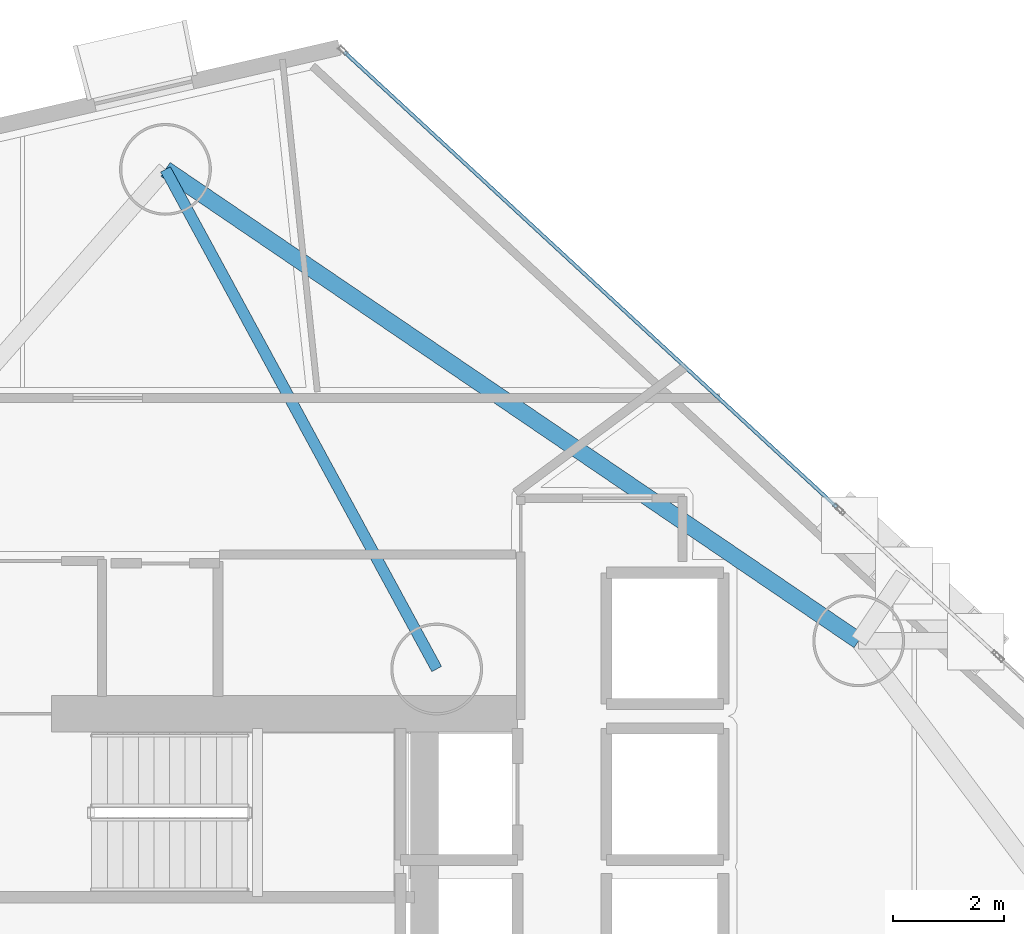
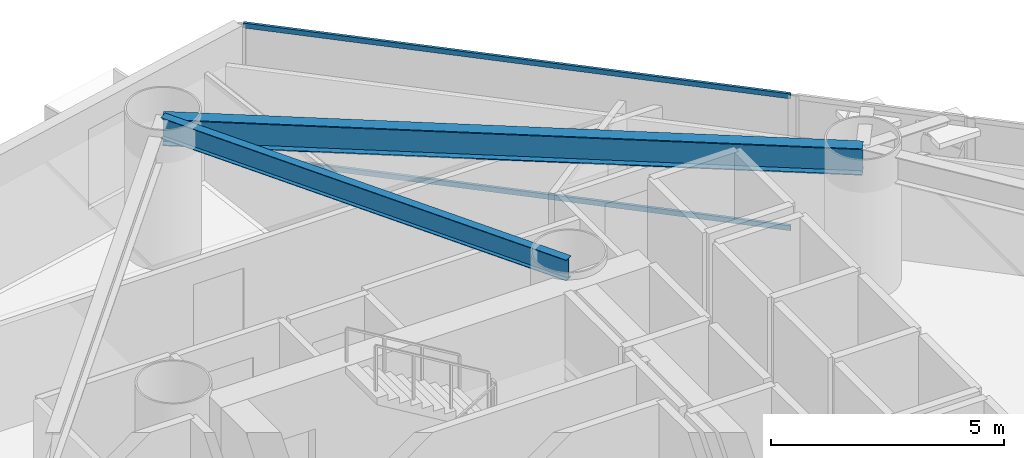
# One storey, part 11 of 23: 2 beams, 2 members, 1 element without a shape of its own.
"""IFC4 building model written with IfcOpenShell, lengths in metres."""

from ifc_helpers import new_model, si_unit, direction, frame, origin, origin_2d, place, context, subcontext, project, spatial, hollow_rectangle, i_section, extrude, material, layer, layer_set, material_profile, profile_set, type_object, element, aggregate, save


model = new_model("IFC4")

# Units and contexts
model_context = context("Model", 3, precision=1e-05, world=origin(), true_north=direction((0.0, 1.0)))
body_context = subcontext(model_context, "Body", "Model", "MODEL_VIEW")
ifc_project = project(units=[si_unit("LENGTHUNIT", "METRE"), si_unit("AREAUNIT", "SQUARE_METRE"), si_unit("VOLUMEUNIT", "CUBIC_METRE"), si_unit("PLANEANGLEUNIT", "RADIAN"), si_unit("MASSUNIT", "GRAM", prefix="KILO")], contexts=[model_context])

# Site, building, storey
site_placement = place(None, origin())
site = spatial("IfcSite", under=ifc_project, at=site_placement, CompositionType="ELEMENT")
building_placement = place(site_placement, origin())
building = spatial("IfcBuilding", under=site, at=building_placement, Name="Qianvela Tower", CompositionType="ELEMENT")
storey_placement = place(building_placement, frame((0.0, 0.0, 67.300048828125)))
storey = spatial("IfcBuildingStorey", under=building, at=storey_placement, Name="L16", CompositionType="ELEMENT", Elevation=67.300048828125)

# Beams
ifc_material_1 = material(Name="Steel Q355B", Category="steel")
ifc_material_profile_1 = material_profile(ifc_material_1, i_section(OverallWidth=0.199951171875, OverallDepth=0.550048828125, WebThickness=0.010009765625, FlangeThickness=0.01611328125, at=origin_2d()), Name="HN550x200x10x16")
ifc_profile_set_1 = profile_set([ifc_material_profile_1], Name="Steel Q355B")
beam_type_1 = type_object("IfcBeamType", Name="BM-HN550-GIRD", PredefinedType="BEAM", material=ifc_profile_set_1)
beam_1_placement = place(storey_placement, frame((38.39990234375, 33.550048828125, 3.242919921875), z_axis=(-0.477069714043, 0.878865454972, 0.0), x_axis=(-0.878865454972, -0.477069714043, 0.0)))
element("IfcBeam", 1, at=beam_1_placement, inside=storey, type_object=beam_type_1, Name="L16 Radial Primary Floor Girder 3", PredefinedType="BEAM", context=body_context, shape_type="SweptSolid", body=[
    extrude(i_section(OverallWidth=0.199951171875, OverallDepth=0.550048828125, WebThickness=0.010009765625, FlangeThickness=0.01611328125, at=origin_2d()), origin(), (0.0, 0.0, 1.0), 10.216552734375),
])
ifc_material_2 = material(Name="Steel Q355B", Category="steel")
ifc_material_profile_2 = material_profile(ifc_material_2, i_section(OverallWidth=0.300048828125, OverallDepth=0.699951171875, WebThickness=0.012939453125, FlangeThickness=0.02392578125, at=origin_2d()), Name="HN700x300x13x24")
ifc_profile_set_2 = profile_set([ifc_material_profile_2], Name="Steel Q355B")
beam_type_2 = type_object("IfcBeamType", Name="BM-HN700-SPAND", PredefinedType="SPANDREL", material=ifc_profile_set_2)
beam_2_placement = place(storey_placement, frame((45.98388671875, 34.056884765625, 3.16796875), z_axis=(-0.826904197504, 0.562342820839, 0.0), x_axis=(-0.562342820839, -0.826904197504, 0.0)))
element("IfcBeam", 2, at=beam_2_placement, inside=storey, type_object=beam_type_2, Name="L16 Perimeter Ring Spandrel Girder 2", PredefinedType="SPANDREL", context=body_context, shape_type="SweptSolid", body=[
    extrude(i_section(OverallWidth=0.300048828125, OverallDepth=0.699951171875, WebThickness=0.012939453125, FlangeThickness=0.02392578125, at=origin_2d()), origin(), (0.0, 0.0, 1.0), 15.06591796875),
])

# Curtain wall, members
ifc_material_3 = material(Name="Anodised Architectural Aluminium and Low-E Glass", Category="aluminium")
ifc_layer = layer(ifc_material_3, 0.179931640625)
ifc_layer_set = layer_set([ifc_layer], Name="Anodised Architectural Aluminium and Low-E Glass")
curtain_wall_type = type_object("IfcCurtainWallType", Name="CW-COLIV-Z12", PredefinedType="USERDEFINED", material=ifc_layer_set)
curtain_wall_placement = place(storey_placement, origin())
curtain_wall = element("IfcCurtainWall", 3, at=curtain_wall_placement, inside=storey, type_object=curtain_wall_type, Name="L16 CW-COLIV-Z12 Curtain Wall 02C", ObjectType="CURTAIN_WALL_SYSTEM", PredefinedType="USERDEFINED")
ifc_material_4 = material(Name="Anodised Architectural Aluminium 6063-T6", Category="aluminium")
ifc_material_profile_3 = material_profile(ifc_material_4, hollow_rectangle(XDim=0.06494140625, YDim=0.1298828125, WallThickness=0.00439453125, at=origin_2d()), Name="ALU-TRAN-65x130")
ifc_profile_set_3 = profile_set([ifc_material_profile_3], Name="Anodised Architectural Aluminium 6063-T6")
member_type = type_object("IfcMemberType", Name="CW-COLIV-Z12-TRAN", PredefinedType="USERDEFINED", material=ifc_profile_set_3)
member_1_placement = place(storey_placement, frame((45.586181640625, 36.46142578125, 0.032470703125), z_axis=(-0.734298181591, 0.678827062301, 0.0), x_axis=(-0.678827062301, -0.734298181591, 0.0)))
member_1 = element("IfcMember", 4, at=member_1_placement, type_object=member_type, Name="CW-3 transom 1.1", ObjectType="TRANSOM", PredefinedType="USERDEFINED", context=body_context, shape_type="SweptSolid", body=[
    extrude(hollow_rectangle(XDim=0.06494140625, YDim=0.1298828125, WallThickness=0.00439453125, at=origin_2d()), origin(), (0.0, 0.0, 1.0), 12.046142578125),
])
member_2_placement = place(storey_placement, frame((45.586181640625, 36.46142578125, 3.487548828125), z_axis=(-0.734298181591, 0.678827062301, 0.0), x_axis=(-0.678827062301, -0.734298181591, 0.0)))
member_2 = element("IfcMember", 5, at=member_2_placement, type_object=member_type, Name="CW-3 transom 1.2", ObjectType="TRANSOM", PredefinedType="USERDEFINED", context=body_context, shape_type="SweptSolid", body=[
    extrude(hollow_rectangle(XDim=0.06494140625, YDim=0.1298828125, WallThickness=0.00439453125, at=origin_2d()), origin(), (0.0, 0.0, 1.0), 12.046142578125),
])
aggregate(curtain_wall, [member_1, member_2])

save(model, "model.ifc")
